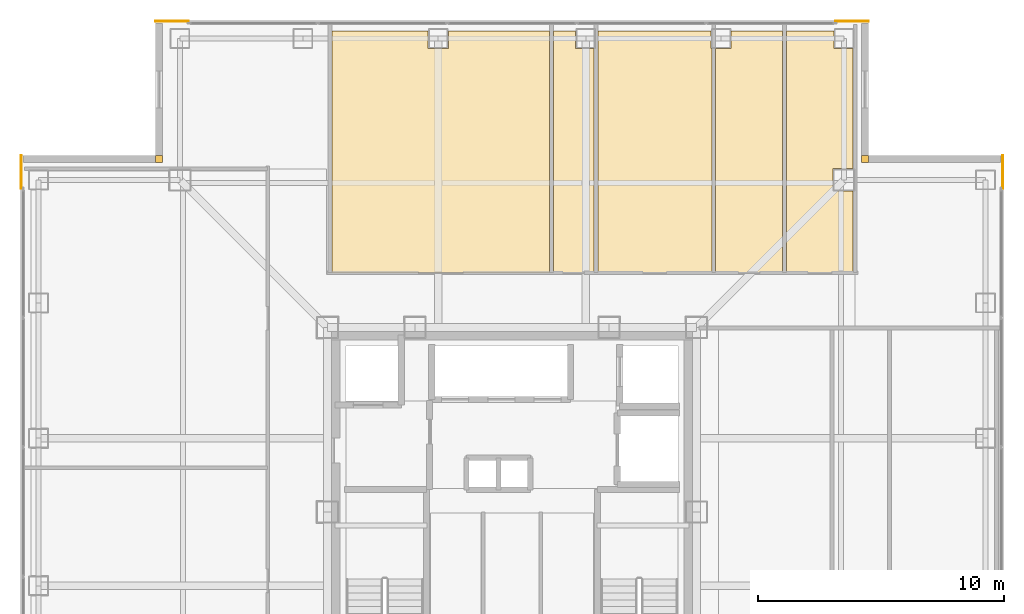
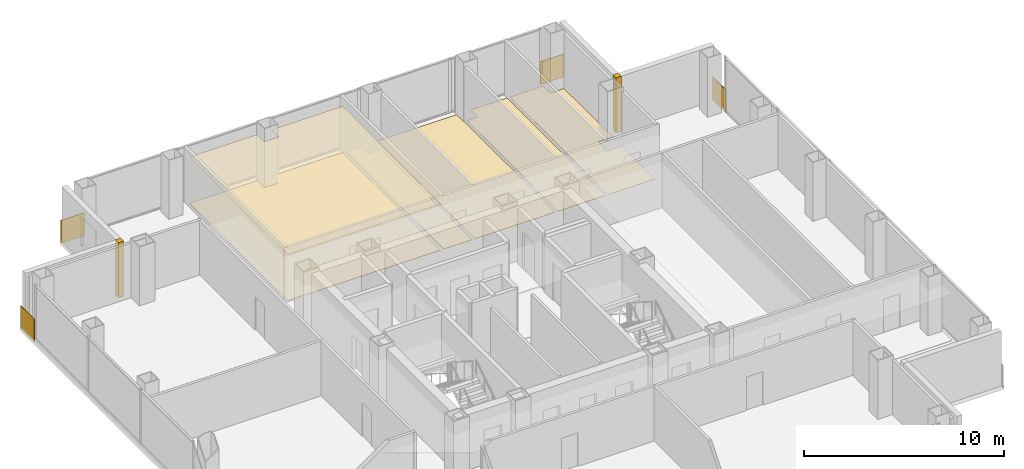
# One storey, part 18 of 18: 12 coverings.
"""IFC4 building model written with IfcOpenShell, lengths in metres."""

from ifc_helpers import new_model, si_unit, direction, frame, frame_2d, origin, place, context, subcontext, project, spatial, polyline, rectangle, outline, extrude, material, layer, layer_set, type_object, element, save


model = new_model("IFC4")

# Units and contexts
model_context = context("Model", 3, precision=1e-05, world=origin(), true_north=direction((0.0, 1.0)))
body_context = subcontext(model_context, "Body", "Model", "MODEL_VIEW")
ifc_project = project(units=[si_unit("LENGTHUNIT", "METRE"), si_unit("AREAUNIT", "SQUARE_METRE"), si_unit("VOLUMEUNIT", "CUBIC_METRE"), si_unit("PLANEANGLEUNIT", "RADIAN"), si_unit("MASSUNIT", "GRAM", prefix="KILO")], contexts=[model_context])

# Site, building, storey
site_placement = place(None, origin())
site = spatial("IfcSite", under=ifc_project, at=site_placement, CompositionType="ELEMENT")
building_placement = place(site_placement, origin())
building = spatial("IfcBuilding", under=site, at=building_placement, Name="Trevonay Congress Spire", CompositionType="ELEMENT")
storey_placement = place(building_placement, frame((0.0, 0.0, 220.199951171875)))
storey = spatial("IfcBuildingStorey", under=building, at=storey_placement, Name="L57", CompositionType="ELEMENT", Elevation=220.199951171875)

# Coverings
ifc_material_1 = material(Name="Acoustic Mineral Fibre Board", Category="gypsum")
ifc_layer_1 = layer(ifc_material_1, 0.02490234375, Name="Acoustic Mineral Fibre Board")
ifc_layer_set_1 = layer_set([ifc_layer_1], Name="Acoustic Mineral Fibre Board")
covering_type_1 = type_object("IfcCoveringType", Name="COV-CEIL-ACOUSTIC", PredefinedType="CEILING", material=ifc_layer_set_1)
covering_1_placement = place(storey_placement, frame((0.0, 0.0, 2.81005859375)))
element("IfcCovering", 1, at=covering_1_placement, inside=storey, type_object=covering_type_1, Name="L57 Showroom Cafe Restaurant acoustic suspended ceiling", PredefinedType="CEILING", context=body_context, shape_type="SweptSolid", body=[
    extrude(outline(polyline([(1.52001953125, 19.550048828125), (1.52001953125, 9.72998046875), (-7.320068359375, 9.72998046875), (-7.320068359375, 19.550048828125), (-3.409912109375, 19.550048828125), (-3.409912109375, 18.840087890625), (-2.590087890625, 18.840087890625), (-2.590087890625, 19.550048828125), (1.52001953125, 19.550048828125)])), origin(), (0.0, 0.0, 1.0), 0.02490234375),
])
ifc_material_2 = material(Name="Polished Granite Floor Tile", Category="masonry")
ifc_layer_2 = layer(ifc_material_2, 0.02001953125, Name="Polished Granite Floor Tile")
ifc_layer_set_2 = layer_set([ifc_layer_2], Name="Polished Granite Floor Tile")
covering_type_2 = type_object("IfcCoveringType", Name="COV-FLOOR-STONE", PredefinedType="FLOORING", material=ifc_layer_set_2)
covering_2_placement = place(storey_placement, origin())
element("IfcCovering", 2, at=covering_2_placement, inside=storey, type_object=covering_type_2, Name="L57 Showroom Cafe Restaurant floor finish", PredefinedType="FLOORING", context=body_context, shape_type="SweptSolid", body=[
    extrude(outline(polyline([(1.52001953125, 19.550048828125), (1.52001953125, 9.72998046875), (-7.320068359375, 9.72998046875), (-7.320068359375, 19.550048828125), (-3.409912109375, 19.550048828125), (-3.409912109375, 18.840087890625), (-2.590087890625, 18.840087890625), (-2.590087890625, 19.550048828125), (1.52001953125, 19.550048828125)])), origin(), (0.0, 0.0, 1.0), 0.02001953125),
])
covering_3_placement = place(storey_placement, origin())
element("IfcCovering", 3, at=covering_3_placement, inside=storey, type_object=covering_type_2, Name="L57 Accessible WC floor finish", PredefinedType="FLOORING", context=body_context, shape_type="SweptSolid", body=[
    extrude(outline(polyline([(3.330078125, 9.72998046875), (1.679931640625, 9.72998046875), (1.679931640625, 19.550048828125), (2.590087890625, 19.550048828125), (2.590087890625, 18.840087890625), (3.330078125, 18.840087890625), (3.330078125, 9.72998046875)])), origin(), (0.0, 0.0, 1.0), 0.02001953125),
])
covering_4_placement = place(storey_placement, origin())
element("IfcCovering", 4, at=covering_4_placement, inside=storey, type_object=covering_type_2, Name="L57 Floor Supplies and Copy Room floor finish", PredefinedType="FLOORING", context=body_context, shape_type="SweptSolid", body=[
    extrude(outline(polyline([(8.1201171875, 9.72998046875), (3.489990234375, 9.72998046875), (3.489990234375, 19.550048828125), (8.090087890625, 19.550048828125), (8.090087890625, 18.840087890625), (8.1201171875, 18.840087890625), (8.1201171875, 9.72998046875)])), origin(), (0.0, 0.0, 1.0), 0.02001953125),
])
covering_5_placement = place(storey_placement, origin())
element("IfcCovering", 5, at=covering_5_placement, inside=storey, type_object=covering_type_2, Name="L57 Female Restroom WC floor finish", PredefinedType="FLOORING", context=body_context, shape_type="SweptSolid", body=[
    extrude(outline(polyline([(11.0, 19.550048828125), (11.0, 9.72998046875), (8.280029296875, 9.72998046875), (8.280029296875, 18.840087890625), (8.909912109375, 18.840087890625), (8.909912109375, 19.550048828125), (11.0, 19.550048828125)])), origin(), (0.0, 0.0, 1.0), 0.02001953125),
])
covering_6_placement = place(storey_placement, origin())
element("IfcCovering", 6, at=covering_6_placement, inside=storey, type_object=covering_type_2, Name="L57 Floor Supplies and Copy Room floor finish", PredefinedType="FLOORING", context=body_context, shape_type="SweptSolid", body=[
    extrude(outline(polyline([(13.8701171875, 9.72998046875), (11.159912109375, 9.72998046875), (11.159912109375, 19.550048828125), (13.090087890625, 19.550048828125), (13.090087890625, 18.840087890625), (13.8701171875, 18.840087890625), (13.8701171875, 13.9599609375), (13.0400390625, 13.9599609375), (13.0400390625, 13.0400390625), (13.8701171875, 13.0400390625), (13.8701171875, 9.72998046875)])), origin(), (0.0, 0.0, 1.0), 0.02001953125),
])
ifc_material_3 = material(Name="Pale Anodised Aluminium EN AW-6063-T6", Category="aluminium")
ifc_layer_3 = layer(ifc_material_3, 0.0400390625, Name="Pale Anodised Aluminium EN AW-6063-T6")
ifc_layer_set_3 = layer_set([ifc_layer_3], Name="Pale Anodised Aluminium EN AW-6063-T6")
covering_type_3 = type_object("IfcCoveringType", Name="COV-SPANDREL-PALE-METAL", PredefinedType="CLADDING", material=ifc_layer_set_3)
covering_7_placement = place(storey_placement, origin())
element("IfcCovering", 7, at=covering_7_placement, inside=storey, type_object=covering_type_3, Name="L57 NE re-entrant notch corner closure trim", PredefinedType="CLADDING", context=body_context, shape_type="SweptSolid", body=[
    extrude(outline(polyline([(14.199951171875, 14.199951171875), (14.5, 14.199951171875), (14.5, 14.5), (14.199951171875, 14.5), (14.199951171875, 14.199951171875)])), origin(), (0.0, 0.0, 1.0), 3.360107421875),
])
for number, where, z_axis, x_axis, name in (
    (8, (19.93994140625, 13.14990234375, -0.14990234375), (0.0, 0.0, 1.0), (0.0, 1.0, 0.0), "L57 NE corner pier spandrel cladding 1"),
    (9, (13.14990234375, 19.93994140625, -0.14990234375), (0.0, 0.0, 1.0), (1.0, 0.0, 0.0), "L57 NE corner pier spandrel cladding 2"),
):
    element("IfcCovering", number, at=place(storey_placement, frame(where, z_axis=z_axis, x_axis=x_axis)), inside=storey, type_object=covering_type_3, Name=name, PredefinedType="CLADDING", context=body_context, shape_type="SweptSolid", body=[
        extrude(rectangle(XDim=1.35009765625, YDim=0.0400390625, at=frame_2d((0.675048828125, 0.0))), origin(), (0.0, 0.0, 1.0), 1.39990234375),
    ])
covering_8_placement = place(storey_placement, origin())
element("IfcCovering", 10, at=covering_8_placement, inside=storey, type_object=covering_type_3, Name="L57 NW re-entrant notch corner closure trim", PredefinedType="CLADDING", context=body_context, shape_type="SweptSolid", body=[
    extrude(outline(polyline([(-14.5, 14.199951171875), (-14.199951171875, 14.199951171875), (-14.199951171875, 14.5), (-14.5, 14.5), (-14.5, 14.199951171875)])), origin(), (0.0, 0.0, 1.0), 3.360107421875),
])
for number, where, z_axis, x_axis, name in (
    (11, (-19.93994140625, 13.14990234375, -0.14990234375), (0.0, 0.0, 1.0), (0.0, 1.0, 0.0), "L57 NW corner pier spandrel cladding 1"),
    (12, (-13.14990234375, 19.93994140625, -0.14990234375), (0.0, 0.0, 1.0), (-1.0, 0.0, 0.0), "L57 NW corner pier spandrel cladding 2"),
):
    element("IfcCovering", number, at=place(storey_placement, frame(where, z_axis=z_axis, x_axis=x_axis)), inside=storey, type_object=covering_type_3, Name=name, PredefinedType="CLADDING", context=body_context, shape_type="SweptSolid", body=[
        extrude(rectangle(XDim=1.35009765625, YDim=0.0400390625, at=frame_2d((0.675048828125, 0.0))), origin(), (0.0, 0.0, 1.0), 1.39990234375),
    ])

save(model, "model.ifc")
